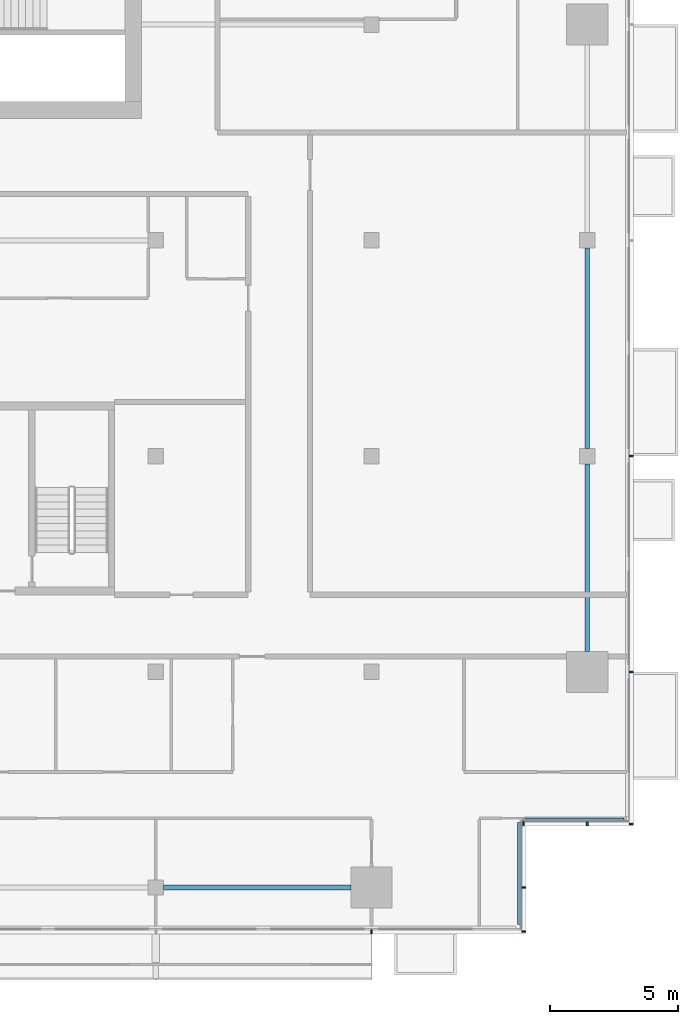
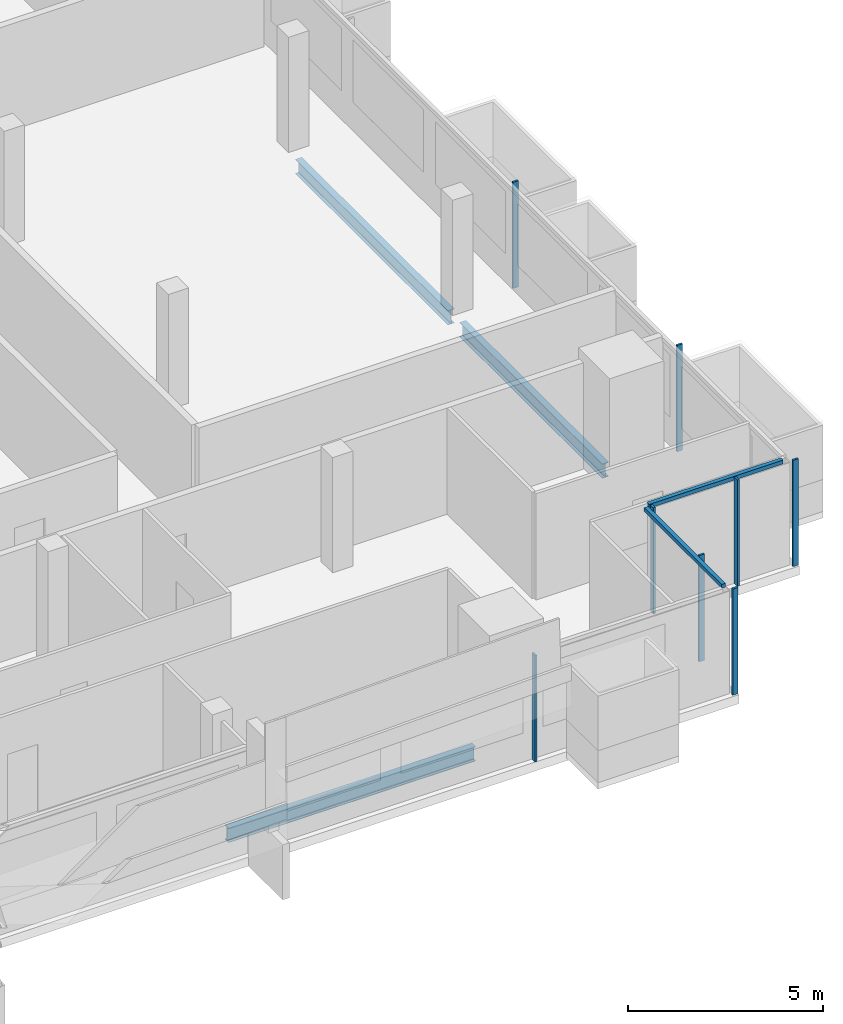
# One storey, part 11 of 27: 10 members, 3 beams, 4 elements without a shape of their own.
"""IFC4 building model written with IfcOpenShell, lengths in metres."""

from ifc_helpers import new_model, si_unit, direction, frame, origin, origin_2d, place, context, subcontext, project, spatial, rectangle, i_section, extrude, material, material_profile, profile_set, type_object, element, aggregate, save


model = new_model("IFC4")

# Units and contexts
model_context = context("Model", 3, precision=1e-05, world=origin(), true_north=direction((0.0, 1.0)))
body_context = subcontext(model_context, "Body", "Model", "MODEL_VIEW")
ifc_project = project(units=[si_unit("LENGTHUNIT", "METRE"), si_unit("AREAUNIT", "SQUARE_METRE"), si_unit("VOLUMEUNIT", "CUBIC_METRE"), si_unit("PLANEANGLEUNIT", "RADIAN"), si_unit("MASSUNIT", "GRAM", prefix="KILO")], contexts=[model_context])

# Site, building, storey
site_placement = place(None, origin())
site = spatial("IfcSite", under=ifc_project, at=site_placement, CompositionType="ELEMENT")
building_placement = place(site_placement, origin())
building = spatial("IfcBuilding", under=site, at=building_placement, Name="Saffron Gate Tower", CompositionType="ELEMENT")
storey_placement = place(building_placement, frame((0.0, 0.0, 212.699951171875)))
storey = spatial("IfcBuildingStorey", under=building, at=storey_placement, Name="L51", CompositionType="ELEMENT", Elevation=212.699951171875)

# Beams
ifc_material_1 = material(Name="Structural steel S355", Category="steel")
ifc_material_profile_1 = material_profile(ifc_material_1, i_section(OverallWidth=0.18994140625, OverallDepth=0.449951171875, WebThickness=0.009521484375, FlangeThickness=0.0146484375, FilletRadius=0.02099609375, at=origin_2d()))
ifc_profile_set_1 = profile_set([ifc_material_profile_1], Name="Structural steel S355")
beam_type = type_object("IfcBeamType", Name="B7 IPE 450", PredefinedType="SPANDREL", material=ifc_profile_set_1)
for number, where, z_axis, x_axis, name in (
    (1, (108.89990234375, 31.800048828125, -0.5048828125), (1.0, 0.0, 0.0), (0.0, 1.0, 0.0), "B7 SPANDREL BEAM"),
    (2, (125.39990234375, 41.0, -0.5048828125), (0.0, 1.0, 0.0), (-1.0, 0.0, 0.0), "B7 SPANDREL BEAM"),
):
    element("IfcBeam", number, at=place(storey_placement, frame(where, z_axis=z_axis, x_axis=x_axis)), inside=storey, type_object=beam_type, Name=name, PredefinedType="SPANDREL", context=body_context, shape_type="SweptSolid", body=[
        extrude(i_section(OverallWidth=0.18994140625, OverallDepth=0.449951171875, WebThickness=0.009521484375, FlangeThickness=0.0146484375, FilletRadius=0.02099609375, at=origin_2d()), origin(), (0.0, 0.0, 1.0), 7.300048828125),
    ])
beam_placement = place(storey_placement, frame((125.39990234375, 48.89990234375, -0.5048828125), z_axis=(0.0, 1.0, 0.0), x_axis=(-1.0, 0.0, 0.0)))
element("IfcBeam", 3, at=beam_placement, inside=storey, type_object=beam_type, Name="B7 SPANDREL BEAM", PredefinedType="SPANDREL", context=body_context, shape_type="SweptSolid", body=[
    extrude(i_section(OverallWidth=0.18994140625, OverallDepth=0.449951171875, WebThickness=0.009521484375, FlangeThickness=0.0146484375, FilletRadius=0.02099609375, at=origin_2d()), origin(), (0.0, 0.0, 1.0), 7.800048828125),
])

# Curtain wall, member
ifc_material_2 = material(Name="Aluminium, bronze anodised", Category="aluminium")
curtain_wall_type_1 = type_object("IfcCurtainWallType", Name="CWS1 curtain wall front facade", PredefinedType="NOTDEFINED", material=ifc_material_2)
curtain_wall_1_placement = place(storey_placement, origin())
curtain_wall_1 = element("IfcCurtainWall", 4, at=curtain_wall_1_placement, inside=storey, type_object=curtain_wall_type_1, Name="CWS1 run 1", PredefinedType="NOTDEFINED")
ifc_material_profile_2 = material_profile(ifc_material_2, rectangle(XDim=0.159912109375, YDim=0.06005859375, at=origin_2d()))
ifc_profile_set_2 = profile_set([ifc_material_profile_2], Name="Aluminium, bronze anodised")
member_type_1 = type_object("IfcMemberType", Name="CWS1 mullion 60x160", PredefinedType="MULLION", material=ifc_profile_set_2)
member_1_placement = place(storey_placement, frame((117.0, 30.080078125, 0.0), z_axis=(0.0, 0.0, 1.0), x_axis=(0.0, 1.0, 0.0)))
member_1 = element("IfcMember", 5, at=member_1_placement, type_object=member_type_1, Name="CWS1 mullion 9", PredefinedType="MULLION", context=body_context, shape_type="SweptSolid", body=[
    extrude(rectangle(XDim=0.159912109375, YDim=0.06005859375, at=origin_2d()), origin(), (0.0, 0.0, 1.0), 3.320068359375),
])
aggregate(curtain_wall_1, [member_1])

# Curtain wall, members
curtain_wall_type_2 = type_object("IfcCurtainWallType", Name="CWS2 curtain wall side facades", PredefinedType="NOTDEFINED", material=ifc_material_2)
curtain_wall_2_placement = place(storey_placement, origin())
curtain_wall_2 = element("IfcCurtainWall", 6, at=curtain_wall_2_placement, inside=storey, type_object=curtain_wall_type_2, Name="CWS2 run 4", PredefinedType="NOTDEFINED")
ifc_material_profile_3 = material_profile(ifc_material_2, rectangle(XDim=0.159912109375, YDim=0.06005859375, at=origin_2d()))
ifc_profile_set_3 = profile_set([ifc_material_profile_3], Name="Aluminium, bronze anodised")
member_type_2 = type_object("IfcMemberType", Name="CWS2 mullion 60x160", PredefinedType="MULLION", material=ifc_profile_set_3)
member_2_placement = place(storey_placement, frame((127.1201171875, 34.280029296875, 0.0), z_axis=(0.0, 0.0, 1.0), x_axis=(-1.0, 0.0, 0.0)))
member_2 = element("IfcMember", 7, at=member_2_placement, type_object=member_type_2, Name="CWS2 mullion 1", PredefinedType="MULLION", context=body_context, shape_type="SweptSolid", body=[
    extrude(rectangle(XDim=0.159912109375, YDim=0.06005859375, at=origin_2d()), origin(), (0.0, 0.0, 1.0), 3.320068359375),
])
member_3_placement = place(storey_placement, frame((127.1201171875, 40.199951171875, 0.0), z_axis=(0.0, 0.0, 1.0), x_axis=(-1.0, 0.0, 0.0)))
member_3 = element("IfcMember", 8, at=member_3_placement, type_object=member_type_2, Name="CWS2 mullion 2", PredefinedType="MULLION", context=body_context, shape_type="SweptSolid", body=[
    extrude(rectangle(XDim=0.159912109375, YDim=0.06005859375, at=origin_2d()), origin(), (0.0, 0.0, 1.0), 3.320068359375),
])
member_4_placement = place(storey_placement, frame((127.1201171875, 48.60009765625, 0.0), z_axis=(0.0, 0.0, 1.0), x_axis=(-1.0, 0.0, 0.0)))
member_4 = element("IfcMember", 9, at=member_4_placement, type_object=member_type_2, Name="CWS2 mullion 3", PredefinedType="MULLION", context=body_context, shape_type="SweptSolid", body=[
    extrude(rectangle(XDim=0.159912109375, YDim=0.06005859375, at=origin_2d()), origin(), (0.0, 0.0, 1.0), 3.320068359375),
])
aggregate(curtain_wall_2, [member_2, member_3, member_4])

# Curtain wall, member
curtain_wall_type_3 = type_object("IfcCurtainWallType", Name="CWS4 curtain wall corner returns", PredefinedType="NOTDEFINED", material=ifc_material_2)
curtain_wall_3_placement = place(storey_placement, origin())
curtain_wall_3 = element("IfcCurtainWall", 10, at=curtain_wall_3_placement, inside=storey, type_object=curtain_wall_type_3, Name="CWS4 run 2", PredefinedType="NOTDEFINED")
ifc_material_profile_4 = material_profile(ifc_material_2, rectangle(XDim=0.1201171875, YDim=0.1201171875, at=origin_2d()))
ifc_profile_set_4 = profile_set([ifc_material_profile_4], Name="Aluminium, bronze anodised")
member_type_3 = type_object("IfcMemberType", Name="CWS4 head transom", PredefinedType="USERDEFINED", material=ifc_profile_set_4)
member_5_placement = place(storey_placement, frame((122.751953125, 30.367919921875, 3.260009765625), z_axis=(0.0, 1.0, 0.0), x_axis=(-1.0, 0.0, 0.0)))
member_5 = element("IfcMember", 11, at=member_5_placement, type_object=member_type_3, Name="CWS4 head transom", ObjectType="TRANSOM", PredefinedType="USERDEFINED", context=body_context, shape_type="SweptSolid", body=[
    extrude(rectangle(XDim=0.1201171875, YDim=0.1201171875, at=origin_2d()), origin(), (0.0, 0.0, 1.0), 3.9599609375),
])

curtain_wall_4_placement = place(storey_placement, origin())
curtain_wall_4 = element("IfcCurtainWall", 12, at=curtain_wall_4_placement, inside=storey, type_object=curtain_wall_type_3, Name="CWS4 run 3", PredefinedType="NOTDEFINED")
member_6_placement = place(storey_placement, frame((122.8720703125, 34.447998046875, 3.260009765625), z_axis=(1.0, 0.0, 0.0), x_axis=(0.0, 1.0, 0.0)))
member_6 = element("IfcMember", 13, at=member_6_placement, type_object=member_type_3, Name="CWS4 head transom", ObjectType="TRANSOM", PredefinedType="USERDEFINED", context=body_context, shape_type="SweptSolid", body=[
    extrude(rectangle(XDim=0.1201171875, YDim=0.1201171875, at=origin_2d()), origin(), (0.0, 0.0, 1.0), 3.9599609375),
])

# Member
ifc_material_profile_5 = material_profile(ifc_material_2, rectangle(XDim=0.159912109375, YDim=0.06005859375, at=origin_2d()))
ifc_profile_set_5 = profile_set([ifc_material_profile_5], Name="Aluminium, bronze anodised")
member_type_4 = type_object("IfcMemberType", Name="CWS4 mullion 60x160", PredefinedType="MULLION", material=ifc_profile_set_5)
member_7_placement = place(storey_placement, frame((122.919921875, 30.080078125, 0.0), z_axis=(0.0, 0.0, 1.0), x_axis=(-1.0, 0.0, 0.0)))
member_7 = element("IfcMember", 14, at=member_7_placement, type_object=member_type_4, Name="CWS4 mullion 1", PredefinedType="MULLION", context=body_context, shape_type="SweptSolid", body=[
    extrude(rectangle(XDim=0.159912109375, YDim=0.06005859375, at=origin_2d()), origin(), (0.0, 0.0, 1.0), 3.320068359375),
])

member_8_placement = place(storey_placement, frame((122.919921875, 31.800048828125, 0.0), z_axis=(0.0, 0.0, 1.0), x_axis=(-1.0, 0.0, 0.0)))
member_8 = element("IfcMember", 15, at=member_8_placement, type_object=member_type_4, Name="CWS4 mullion 2", PredefinedType="MULLION", context=body_context, shape_type="SweptSolid", body=[
    extrude(rectangle(XDim=0.159912109375, YDim=0.06005859375, at=origin_2d()), origin(), (0.0, 0.0, 1.0), 3.320068359375),
])

aggregate(curtain_wall_3, [member_7, member_8, member_5])

member_9_placement = place(storey_placement, frame((122.919921875, 34.280029296875, 0.0), z_axis=(0.0, 0.0, 1.0), x_axis=(0.0, 1.0, 0.0)))
member_9 = element("IfcMember", 16, at=member_9_placement, type_object=member_type_4, Name="CWS4 mullion 1", PredefinedType="MULLION", context=body_context, shape_type="SweptSolid", body=[
    extrude(rectangle(XDim=0.159912109375, YDim=0.06005859375, at=origin_2d()), origin(), (0.0, 0.0, 1.0), 3.320068359375),
])

member_10_placement = place(storey_placement, frame((125.39990234375, 34.280029296875, 0.0), z_axis=(0.0, 0.0, 1.0), x_axis=(0.0, 1.0, 0.0)))
member_10 = element("IfcMember", 17, at=member_10_placement, type_object=member_type_4, Name="CWS4 mullion 2", PredefinedType="MULLION", context=body_context, shape_type="SweptSolid", body=[
    extrude(rectangle(XDim=0.159912109375, YDim=0.06005859375, at=origin_2d()), origin(), (0.0, 0.0, 1.0), 3.320068359375),
])

aggregate(curtain_wall_4, [member_9, member_10, member_6])

save(model, "model.ifc")
